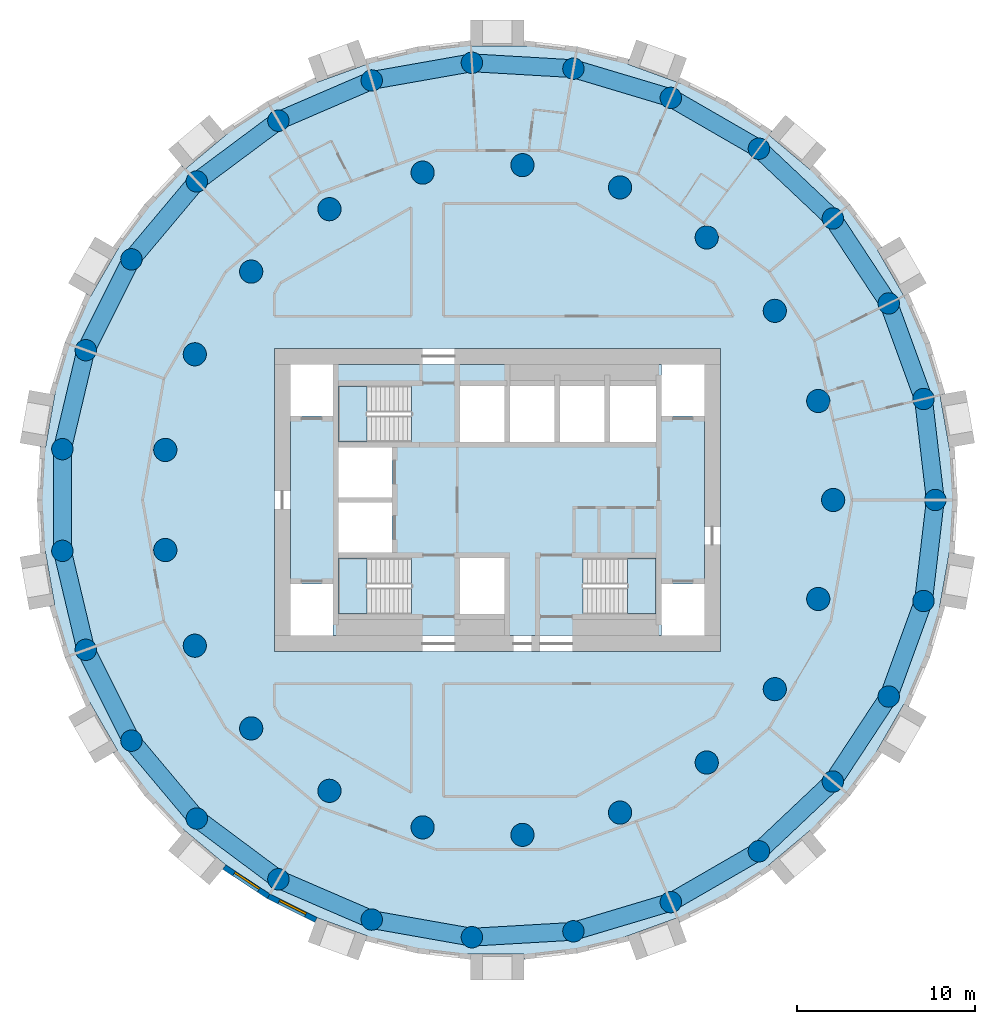
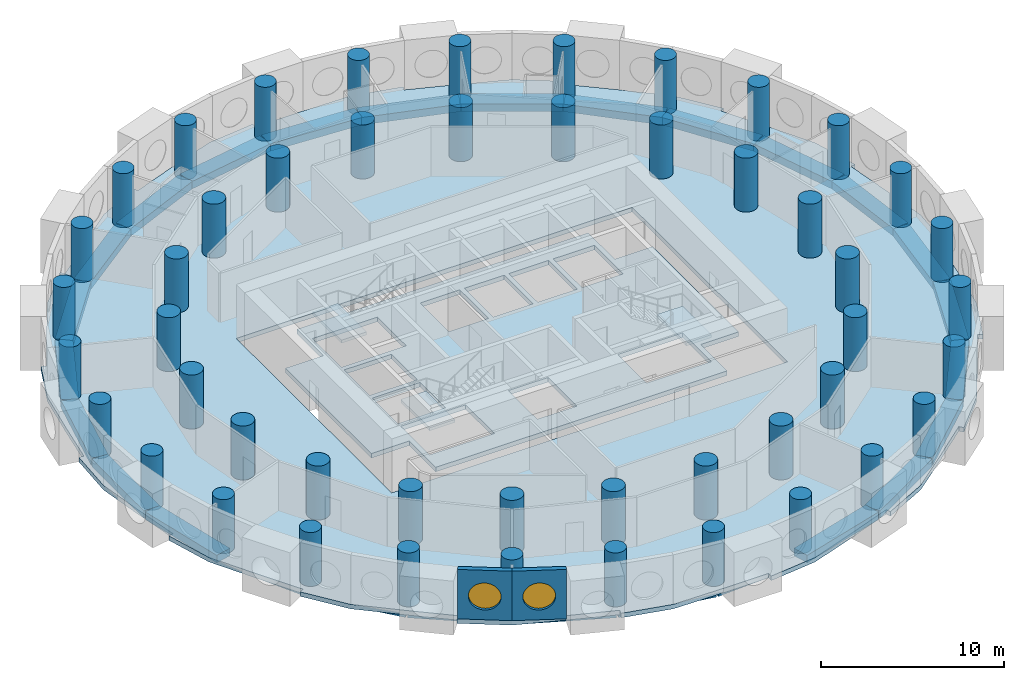
# One storey, part 1 of 9: 48 columns, 27 beams, 5 slabs, 2 walls, 2 windows, 2 openings, 3 elements without a shape of their own.
"""IFC4 building model written with IfcOpenShell, lengths in metres."""

from ifc_helpers import new_model, si_unit, direction, frame, frame_2d, origin, origin_2d, place, context, subcontext, project, spatial, polyline, rectangle, circle, outline, extrude, material, layer, layer_set, material_profile, profile_set, type_object, element, fill, aggregate, save


model = new_model("IFC4")

# Units and contexts
model_context = context("Model", 3, precision=1e-05, world=origin(), true_north=direction((0.0, 1.0)))
body_context = subcontext(model_context, "Body", "Model", "MODEL_VIEW")
ifc_project = project(units=[si_unit("LENGTHUNIT", "METRE"), si_unit("AREAUNIT", "SQUARE_METRE"), si_unit("VOLUMEUNIT", "CUBIC_METRE"), si_unit("PLANEANGLEUNIT", "RADIAN"), si_unit("MASSUNIT", "GRAM", prefix="KILO")], contexts=[model_context])

# Site, building, storey
site_placement = place(None, origin())
site = spatial("IfcSite", under=ifc_project, at=site_placement, CompositionType="ELEMENT")
building_placement = place(site_placement, origin())
building = spatial("IfcBuilding", under=site, at=building_placement, Name="Tracery Tower", CompositionType="ELEMENT")
storey_placement = place(building_placement, frame((0.0, 0.0, 169.199951171875)))
storey = spatial("IfcBuildingStorey", under=building, at=storey_placement, Name="L43", CompositionType="ELEMENT", Elevation=169.199951171875)

# Columns
ifc_material_1 = material(Name="Concrete C50/60", Category="concrete")
ifc_material_profile_1 = material_profile(ifc_material_1, circle(Radius=0.60009765625, at=origin_2d()), Name="RC D1200")
ifc_profile_set_1 = profile_set([ifc_material_profile_1], Name="Concrete C50/60")
column_type_1 = type_object("IfcColumnType", Name="Ring 1 column 1200", PredefinedType="COLUMN", material=ifc_profile_set_1)
for number, where, z_axis, x_axis, name in (
    (1, (24.547607421875, 0.0, 0.0), (0.0, 0.0, 1.0), (1.0, 0.0, 0.0), "Ring 1 column 00 at L43"),
    (2, (23.885986328125, 5.6611328125, 0.0), (0.0, 0.0, 1.0), (1.0, 0.0, 0.0), "Ring 1 column 01 at L43"),
    (3, (21.9365234375, 11.01708984375, 0.0), (0.0, 0.0, 1.0), (1.0, 0.0, 0.0), "Ring 1 column 02 at L43"),
    (4, (18.8046875, 15.779052734375, 0.0), (0.0, 0.0, 1.0), (1.0, 0.0, 0.0), "Ring 1 column 03 at L43"),
    (5, (14.658935546875, 19.690185546875, 0.0), (0.0, 0.0, 1.0), (1.0, 0.0, 0.0), "Ring 1 column 04 at L43"),
    (6, (9.722900390625, 22.5400390625, 0.0), (0.0, 0.0, 1.0), (1.0, 0.0, 0.0), "Ring 1 column 05 at L43"),
    (7, (4.2626953125, 24.1748046875, 0.0), (0.0, 0.0, 1.0), (1.0, 0.0, 0.0), "Ring 1 column 06 at L43"),
    (8, (-1.42724609375, 24.506103515625, 0.0), (0.0, 0.0, 1.0), (1.0, 0.0, 0.0), "Ring 1 column 07 at L43"),
    (9, (-7.040283203125, 23.516357421875, 0.0), (0.0, 0.0, 1.0), (1.0, 0.0, 0.0), "Ring 1 column 08 at L43"),
    (10, (-12.273681640625, 21.2587890625, 0.0), (0.0, 0.0, 1.0), (1.0, 0.0, 0.0), "Ring 1 column 09 at L43"),
    (11, (-16.845703125, 17.855224609375, 0.0), (0.0, 0.0, 1.0), (1.0, 0.0, 0.0), "Ring 1 column 10 at L43"),
    (12, (-20.50927734375, 13.4892578125, 0.0), (0.0, 0.0, 1.0), (1.0, 0.0, 0.0), "Ring 1 column 11 at L43"),
    (13, (-23.0673828125, 8.395751953125, 0.0), (0.0, 0.0, 1.0), (1.0, 0.0, 0.0), "Ring 1 column 12 at L43"),
    (14, (-24.381591796875, 2.849853515625, 0.0), (0.0, 0.0, 1.0), (1.0, 0.0, 0.0), "Ring 1 column 13 at L43"),
    (15, (-24.381591796875, -2.849853515625, 0.0), (0.0, 0.0, 1.0), (1.0, 0.0, 0.0), "Ring 1 column 14 at L43"),
    (16, (-23.0673828125, -8.395751953125, 0.0), (0.0, 0.0, 1.0), (1.0, 0.0, 0.0), "Ring 1 column 15 at L43"),
    (17, (-20.50927734375, -13.4892578125, 0.0), (0.0, 0.0, 1.0), (1.0, 0.0, 0.0), "Ring 1 column 16 at L43"),
    (18, (-16.845703125, -17.85546875, 0.0), (0.0, 0.0, 1.0), (1.0, 0.0, 0.0), "Ring 1 column 17 at L43"),
    (19, (-12.27392578125, -21.2587890625, 0.0), (0.0, 0.0, 1.0), (1.0, 0.0, 0.0), "Ring 1 column 18 at L43"),
    (20, (-7.040283203125, -23.516357421875, 0.0), (0.0, 0.0, 1.0), (1.0, 0.0, 0.0), "Ring 1 column 19 at L43"),
    (21, (-1.42724609375, -24.506103515625, 0.0), (0.0, 0.0, 1.0), (1.0, 0.0, 0.0), "Ring 1 column 20 at L43"),
    (22, (4.2626953125, -24.1748046875, 0.0), (0.0, 0.0, 1.0), (1.0, 0.0, 0.0), "Ring 1 column 21 at L43"),
    (23, (9.722900390625, -22.5400390625, 0.0), (0.0, 0.0, 1.0), (1.0, 0.0, 0.0), "Ring 1 column 22 at L43"),
    (24, (14.658935546875, -19.690185546875, 0.0), (0.0, 0.0, 1.0), (1.0, 0.0, 0.0), "Ring 1 column 23 at L43"),
    (25, (18.8046875, -15.779052734375, 0.0), (0.0, 0.0, 1.0), (1.0, 0.0, 0.0), "Ring 1 column 24 at L43"),
    (26, (21.9365234375, -11.01708984375, 0.0), (0.0, 0.0, 1.0), (1.0, 0.0, 0.0), "Ring 1 column 25 at L43"),
    (27, (23.885986328125, -5.6611328125, 0.0), (0.0, 0.0, 1.0), (1.0, 0.0, 0.0), "Ring 1 column 26 at L43"),
):
    element("IfcColumn", number, at=place(storey_placement, frame(where, z_axis=z_axis, x_axis=x_axis)), inside=storey, type_object=column_type_1, Name=name, PredefinedType="COLUMN", context=body_context, shape_type="SweptSolid", body=[
        extrude(circle(Radius=0.60009765625, at=origin_2d()), origin(), (0.0, 0.0, 1.0), 3.60009765625),
    ])
ifc_material_2 = material(Name="Concrete C50/60", Category="concrete")
ifc_material_profile_2 = material_profile(ifc_material_2, circle(Radius=0.64990234375, at=origin_2d()), Name="RC D1300")
ifc_profile_set_2 = profile_set([ifc_material_profile_2], Name="Concrete C50/60")
column_type_2 = type_object("IfcColumnType", Name="Ring 2 column 1300", PredefinedType="COLUMN", material=ifc_profile_set_2)
for number, where, z_axis, x_axis, name in (
    (28, (18.822265625, 0.0, 0.0), (0.0, 0.0, 1.0), (1.0, 0.0, 0.0), "Ring 2 column 00 at L43"),
    (29, (17.986083984375, 5.5478515625, 0.0), (0.0, 0.0, 1.0), (1.0, 0.0, 0.0), "Ring 2 column 01 at L43"),
    (30, (15.551513671875, 10.602783203125, 0.0), (0.0, 0.0, 1.0), (1.0, 0.0, 0.0), "Ring 2 column 02 at L43"),
    (31, (11.7353515625, 14.7158203125, 0.0), (0.0, 0.0, 1.0), (1.0, 0.0, 0.0), "Ring 2 column 03 at L43"),
    (32, (6.87646484375, 17.52099609375, 0.0), (0.0, 0.0, 1.0), (1.0, 0.0, 0.0), "Ring 2 column 04 at L43"),
    (33, (1.406494140625, 18.76953125, 0.0), (0.0, 0.0, 1.0), (1.0, 0.0, 0.0), "Ring 2 column 05 at L43"),
    (34, (-4.188232421875, 18.350341796875, 0.0), (0.0, 0.0, 1.0), (1.0, 0.0, 0.0), "Ring 2 column 06 at L43"),
    (35, (-9.4111328125, 16.300537109375, 0.0), (0.0, 0.0, 1.0), (1.0, 0.0, 0.0), "Ring 2 column 07 at L43"),
    (36, (-13.797607421875, 12.802490234375, 0.0), (0.0, 0.0, 1.0), (1.0, 0.0, 0.0), "Ring 2 column 08 at L43"),
    (37, (-16.958251953125, 8.16650390625, 0.0), (0.0, 0.0, 1.0), (1.0, 0.0, 0.0), "Ring 2 column 09 at L43"),
    (38, (-18.612060546875, 2.805419921875, 0.0), (0.0, 0.0, 1.0), (1.0, 0.0, 0.0), "Ring 2 column 10 at L43"),
    (39, (-18.612060546875, -2.805419921875, 0.0), (0.0, 0.0, 1.0), (1.0, 0.0, 0.0), "Ring 2 column 11 at L43"),
    (40, (-16.958251953125, -8.166748046875, 0.0), (0.0, 0.0, 1.0), (1.0, 0.0, 0.0), "Ring 2 column 12 at L43"),
    (41, (-13.797607421875, -12.80224609375, 0.0), (0.0, 0.0, 1.0), (1.0, 0.0, 0.0), "Ring 2 column 13 at L43"),
    (42, (-9.4111328125, -16.300537109375, 0.0), (0.0, 0.0, 1.0), (1.0, 0.0, 0.0), "Ring 2 column 14 at L43"),
    (43, (-4.188232421875, -18.350341796875, 0.0), (0.0, 0.0, 1.0), (1.0, 0.0, 0.0), "Ring 2 column 15 at L43"),
    (44, (1.406494140625, -18.76953125, 0.0), (0.0, 0.0, 1.0), (1.0, 0.0, 0.0), "Ring 2 column 16 at L43"),
    (45, (6.87646484375, -17.52099609375, 0.0), (0.0, 0.0, 1.0), (1.0, 0.0, 0.0), "Ring 2 column 17 at L43"),
    (46, (11.7353515625, -14.7158203125, 0.0), (0.0, 0.0, 1.0), (1.0, 0.0, 0.0), "Ring 2 column 18 at L43"),
    (47, (15.551513671875, -10.602783203125, 0.0), (0.0, 0.0, 1.0), (1.0, 0.0, 0.0), "Ring 2 column 19 at L43"),
    (48, (17.986083984375, -5.5478515625, 0.0), (0.0, 0.0, 1.0), (1.0, 0.0, 0.0), "Ring 2 column 20 at L43"),
):
    element("IfcColumn", number, at=place(storey_placement, frame(where, z_axis=z_axis, x_axis=x_axis)), inside=storey, type_object=column_type_2, Name=name, PredefinedType="COLUMN", context=body_context, shape_type="SweptSolid", body=[
        extrude(circle(Radius=0.64990234375, at=origin_2d()), origin(), (0.0, 0.0, 1.0), 3.60009765625),
    ])

# Beams
ifc_material_3 = material(Name="Concrete C50/60", Category="concrete")
ifc_material_profile_3 = material_profile(ifc_material_3, rectangle(XDim=1.0, YDim=0.5, at=origin_2d()), Name="RC 1000x500")
ifc_profile_set_3 = profile_set([ifc_material_profile_3], Name="Concrete C50/60")
beam_type = type_object("IfcBeamType", Name="Perimeter band beam 1000x500", PredefinedType="BEAM", material=ifc_profile_set_3)
for number, where, z_axis, x_axis, name in (
    (49, (24.547607421875, 0.0, -0.550048828125), (-0.116080723252, 0.993239782575, 0.0), (-0.993239782575, -0.116080723252, 0.0), "Perimeter beam 1.00 under L43"),
    (50, (23.885986328125, 5.6611328125, -0.550048828125), (-0.342028502279, 0.939689578334, 0.0), (-0.939689578334, -0.342028502279, 0.0), "Perimeter beam 1.01 under L43"),
):
    element("IfcBeam", number, at=place(storey_placement, frame(where, z_axis=z_axis, x_axis=x_axis)), inside=storey, type_object=beam_type, Name=name, PredefinedType="BEAM", context=body_context, shape_type="SweptSolid", body=[
        extrude(rectangle(XDim=1.0, YDim=0.5, at=origin_2d()), origin(), (0.0, 0.0, 1.0), 5.69970703125),
    ])
for number, where, z_axis, x_axis, name in (
    (51, (21.9365234375, 11.01708984375, -0.550048828125), (-0.549489832182, 0.835500403548, 0.0), (-0.835500403548, -0.549489832182, 0.0), "Perimeter beam 1.02 under L43"),
    (52, (18.8046875, 15.779052734375, -0.550048828125), (-0.727389618263, 0.686224703172, 0.0), (-0.686224703172, -0.727389618263, 0.0), "Perimeter beam 1.03 under L43"),
):
    element("IfcBeam", number, at=place(storey_placement, frame(where, z_axis=z_axis, x_axis=x_axis)), inside=storey, type_object=beam_type, Name=name, PredefinedType="BEAM", context=body_context, shape_type="SweptSolid", body=[
        extrude(rectangle(XDim=1.0, YDim=0.5, at=origin_2d()), origin(), (0.0, 0.0, 1.0), 5.699462890625),
    ])
for number, where, z_axis, x_axis, name in (
    (53, (14.658935546875, 19.690185546875, -0.550048828125), (-0.866022950691, 0.500004248858, 0.0), (-0.500004248858, -0.866022950691, 0.0), "Perimeter beam 1.04 under L43"),
    (54, (9.722900390625, 22.5400390625, -0.550048828125), (-0.957985292634, 0.28681732705, 0.0), (-0.28681732705, -0.957985292634, 0.0), "Perimeter beam 1.05 under L43"),
):
    element("IfcBeam", number, at=place(storey_placement, frame(where, z_axis=z_axis, x_axis=x_axis)), inside=storey, type_object=beam_type, Name=name, PredefinedType="BEAM", context=body_context, shape_type="SweptSolid", body=[
        extrude(rectangle(XDim=1.0, YDim=0.5, at=origin_2d()), origin(), (0.0, 0.0, 1.0), 5.69970703125),
    ])
beam_1_placement = place(storey_placement, frame((4.2626953125, 24.1748046875, -0.550048828125), z_axis=(-0.99830920221, 0.058126902403, 0.0), x_axis=(-0.058126902403, -0.99830920221, 0.0)))
element("IfcBeam", 55, at=beam_1_placement, inside=storey, type_object=beam_type, Name="Perimeter beam 1.06 under L43", PredefinedType="BEAM", context=body_context, shape_type="SweptSolid", body=[
    extrude(rectangle(XDim=1.0, YDim=0.5, at=origin_2d()), origin(), (0.0, 0.0, 1.0), 5.699462890625),
])
beam_2_placement = place(storey_placement, frame((-1.42724609375, 24.506103515625, -0.550048828125), z_axis=(-0.984807266719, -0.173650935552, 0.0), x_axis=(0.173650935552, -0.984807266719, 0.0)))
element("IfcBeam", 56, at=beam_2_placement, inside=storey, type_object=beam_type, Name="Perimeter beam 1.07 under L43", PredefinedType="BEAM", context=body_context, shape_type="SweptSolid", body=[
    extrude(rectangle(XDim=1.0, YDim=0.5, at=origin_2d()), origin(), (0.0, 0.0, 1.0), 5.69970703125),
])
beam_3_placement = place(storey_placement, frame((-7.040283203125, 23.516357421875, -0.550048828125), z_axis=(-0.918209685525, -0.396094652083, 0.0), x_axis=(0.396094652083, -0.918209685525, 0.0)))
element("IfcBeam", 57, at=beam_3_placement, inside=storey, type_object=beam_type, Name="Perimeter beam 1.08 under L43", PredefinedType="BEAM", context=body_context, shape_type="SweptSolid", body=[
    extrude(rectangle(XDim=1.0, YDim=0.5, at=origin_2d()), origin(), (0.0, 0.0, 1.0), 5.699462890625),
])
beam_4_placement = place(storey_placement, frame((-12.273681640625, 21.2587890625, -0.550048828125), z_axis=(-0.802138271299, -0.59713833717, 0.0), x_axis=(0.59713833717, -0.802138271299, 0.0)))
element("IfcBeam", 58, at=beam_4_placement, inside=storey, type_object=beam_type, Name="Perimeter beam 1.09 under L43", PredefinedType="BEAM", context=body_context, shape_type="SweptSolid", body=[
    extrude(rectangle(XDim=1.0, YDim=0.5, at=origin_2d()), origin(), (0.0, 0.0, 1.0), 5.69970703125),
])
beam_5_placement = place(storey_placement, frame((-16.845703125, 17.855224609375, -0.550048828125), z_axis=(-0.642797194343, -0.766036400535, 0.0), x_axis=(0.766036400535, -0.642797194343, 0.0)))
element("IfcBeam", 59, at=beam_5_placement, inside=storey, type_object=beam_type, Name="Perimeter beam 1.10 under L43", PredefinedType="BEAM", context=body_context, shape_type="SweptSolid", body=[
    extrude(rectangle(XDim=1.0, YDim=0.5, at=origin_2d()), origin(), (0.0, 0.0, 1.0), 5.699462890625),
])
beam_6_placement = place(storey_placement, frame((-20.50927734375, 13.4892578125, -0.550048828125), z_axis=(-0.448806280933, -0.893629074166, 0.0), x_axis=(0.893629074166, -0.448806280933, 0.0)))
element("IfcBeam", 60, at=beam_6_placement, inside=storey, type_object=beam_type, Name="Perimeter beam 1.11 under L43", PredefinedType="BEAM", context=body_context, shape_type="SweptSolid", body=[
    extrude(rectangle(XDim=1.0, YDim=0.5, at=origin_2d()), origin(), (0.0, 0.0, 1.0), 5.69970703125),
])
beam_7_placement = place(storey_placement, frame((-23.0673828125, 8.395751953125, -0.550048828125), z_axis=(-0.230583793756, -0.973052472407, 0.0), x_axis=(0.973052472407, -0.230583793756, 0.0)))
element("IfcBeam", 61, at=beam_7_placement, inside=storey, type_object=beam_type, Name="Perimeter beam 1.12 under L43", PredefinedType="BEAM", context=body_context, shape_type="SweptSolid", body=[
    extrude(rectangle(XDim=1.0, YDim=0.5, at=origin_2d()), origin(), (0.0, 0.0, 1.0), 5.699462890625),
])
beam_8_placement = place(storey_placement, frame((-24.381591796875, 2.849853515625, -0.550048828125), z_axis=(0.0, -1.0, 0.0), x_axis=(1.0, 0.0, 0.0)))
element("IfcBeam", 62, at=beam_8_placement, inside=storey, type_object=beam_type, Name="Perimeter beam 1.13 under L43", PredefinedType="BEAM", context=body_context, shape_type="SweptSolid", body=[
    extrude(rectangle(XDim=1.0, YDim=0.5, at=origin_2d()), origin(), (0.0, 0.0, 1.0), 5.69970703125),
])
beam_9_placement = place(storey_placement, frame((-24.381591796875, -2.849853515625, -0.550048828125), z_axis=(0.230583793756, -0.973052472407, 0.0), x_axis=(0.973052472407, 0.230583793756, 0.0)))
element("IfcBeam", 63, at=beam_9_placement, inside=storey, type_object=beam_type, Name="Perimeter beam 1.14 under L43", PredefinedType="BEAM", context=body_context, shape_type="SweptSolid", body=[
    extrude(rectangle(XDim=1.0, YDim=0.5, at=origin_2d()), origin(), (0.0, 0.0, 1.0), 5.699462890625),
])
for number, where, z_axis, x_axis, name in (
    (64, (-23.0673828125, -8.395751953125, -0.550048828125), (0.448806280933, -0.893629074166, 0.0), (0.893629074166, 0.448806280933, 0.0), "Perimeter beam 1.15 under L43"),
    (65, (-20.50927734375, -13.4892578125, -0.550048828125), (0.64277610208, -0.766054099, 0.0), (0.766054099, 0.64277610208, 0.0), "Perimeter beam 1.16 under L43"),
):
    element("IfcBeam", number, at=place(storey_placement, frame(where, z_axis=z_axis, x_axis=x_axis)), inside=storey, type_object=beam_type, Name=name, PredefinedType="BEAM", context=body_context, shape_type="SweptSolid", body=[
        extrude(rectangle(XDim=1.0, YDim=0.5, at=origin_2d()), origin(), (0.0, 0.0, 1.0), 5.69970703125),
    ])
beam_10_placement = place(storey_placement, frame((-16.845703125, -17.85546875, -0.550048828125), z_axis=(0.802143514942, -0.597131293298, 0.0), x_axis=(0.597131293298, 0.802143514942, 0.0)))
element("IfcBeam", 66, at=beam_10_placement, inside=storey, type_object=beam_type, Name="Perimeter beam 1.17 under L43", PredefinedType="BEAM", context=body_context, shape_type="SweptSolid", body=[
    extrude(rectangle(XDim=1.0, YDim=0.5, at=origin_2d()), origin(), (0.0, 0.0, 1.0), 5.699462890625),
])
for number, where, z_axis, x_axis, name in (
    (67, (-12.27392578125, -21.2587890625, -0.550048828125), (0.918216405543, -0.39607907366, 0.0), (0.39607907366, 0.918216405543, 0.0), "Perimeter beam 1.18 under L43"),
    (68, (-7.040283203125, -23.516357421875, -0.550048828125), (0.984807266719, -0.173650935552, 0.0), (0.173650935552, 0.984807266719, 0.0), "Perimeter beam 1.19 under L43"),
):
    element("IfcBeam", number, at=place(storey_placement, frame(where, z_axis=z_axis, x_axis=x_axis)), inside=storey, type_object=beam_type, Name=name, PredefinedType="BEAM", context=body_context, shape_type="SweptSolid", body=[
        extrude(rectangle(XDim=1.0, YDim=0.5, at=origin_2d()), origin(), (0.0, 0.0, 1.0), 5.69970703125),
    ])
beam_11_placement = place(storey_placement, frame((-1.42724609375, -24.506103515625, -0.550048828125), z_axis=(0.99830920221, 0.058126902403, 0.0), x_axis=(-0.058126902403, 0.99830920221, 0.0)))
element("IfcBeam", 69, at=beam_11_placement, inside=storey, type_object=beam_type, Name="Perimeter beam 1.20 under L43", PredefinedType="BEAM", context=body_context, shape_type="SweptSolid", body=[
    extrude(rectangle(XDim=1.0, YDim=0.5, at=origin_2d()), origin(), (0.0, 0.0, 1.0), 5.699462890625),
])
for number, where, z_axis, x_axis, name in (
    (70, (4.2626953125, -24.1748046875, -0.550048828125), (0.957985292634, 0.28681732705, 0.0), (-0.28681732705, 0.957985292634, 0.0), "Perimeter beam 1.21 under L43"),
    (71, (9.722900390625, -22.5400390625, -0.550048828125), (0.866022950691, 0.500004248858, 0.0), (-0.500004248858, 0.866022950691, 0.0), "Perimeter beam 1.22 under L43"),
):
    element("IfcBeam", number, at=place(storey_placement, frame(where, z_axis=z_axis, x_axis=x_axis)), inside=storey, type_object=beam_type, Name=name, PredefinedType="BEAM", context=body_context, shape_type="SweptSolid", body=[
        extrude(rectangle(XDim=1.0, YDim=0.5, at=origin_2d()), origin(), (0.0, 0.0, 1.0), 5.69970703125),
    ])
for number, where, z_axis, x_axis, name in (
    (72, (14.658935546875, -19.690185546875, -0.550048828125), (0.727389618263, 0.686224703172, 0.0), (-0.686224703172, 0.727389618263, 0.0), "Perimeter beam 1.23 under L43"),
    (73, (18.8046875, -15.779052734375, -0.550048828125), (0.549489832182, 0.835500403548, 0.0), (-0.835500403548, 0.549489832182, 0.0), "Perimeter beam 1.24 under L43"),
):
    element("IfcBeam", number, at=place(storey_placement, frame(where, z_axis=z_axis, x_axis=x_axis)), inside=storey, type_object=beam_type, Name=name, PredefinedType="BEAM", context=body_context, shape_type="SweptSolid", body=[
        extrude(rectangle(XDim=1.0, YDim=0.5, at=origin_2d()), origin(), (0.0, 0.0, 1.0), 5.699462890625),
    ])
for number, where, z_axis, x_axis, name in (
    (74, (21.9365234375, -11.01708984375, -0.550048828125), (0.342028502279, 0.939689578334, 0.0), (-0.939689578334, 0.342028502279, 0.0), "Perimeter beam 1.25 under L43"),
    (75, (23.885986328125, -5.6611328125, -0.550048828125), (0.116080723252, 0.993239782575, 0.0), (-0.993239782575, 0.116080723252, 0.0), "Perimeter beam 1.26 under L43"),
):
    element("IfcBeam", number, at=place(storey_placement, frame(where, z_axis=z_axis, x_axis=x_axis)), inside=storey, type_object=beam_type, Name=name, PredefinedType="BEAM", context=body_context, shape_type="SweptSolid", body=[
        extrude(rectangle(XDim=1.0, YDim=0.5, at=origin_2d()), origin(), (0.0, 0.0, 1.0), 5.69970703125),
    ])

# Slabs
ifc_material_4 = material(Name="Concrete C50/60", Category="concrete")
ifc_layer_1 = layer(ifc_material_4, 0.300048828125)
ifc_layer_set_1 = layer_set([ifc_layer_1], Name="Core floor slab 300 C50")
slab_type_1 = type_object("IfcSlabType", Name="Core floor slab 300 C50", PredefinedType="FLOOR", material=ifc_layer_set_1)
slab_1_placement = place(storey_placement, frame((0.0, 0.0, -0.300048828125)))
element("IfcSlab", 76, at=slab_1_placement, inside=storey, type_object=slab_type_1, Name="L43 core floor 1", PredefinedType="FLOOR", context=body_context, shape_type="SweptSolid", body=[
    extrude(outline(polyline([(-9.199951171875, 7.60009765625), (9.199951171875, 7.60009765625), (9.199951171875, 4.699951171875), (11.60009765625, 4.699951171875), (11.60009765625, -4.699951171875), (9.199951171875, -4.699951171875), (9.199951171875, -7.60009765625), (-9.199951171875, -7.60009765625), (-9.199951171875, -4.699951171875), (-11.60009765625, -4.699951171875), (-11.60009765625, 4.699951171875), (-9.199951171875, 4.699951171875), (-9.199951171875, 7.60009765625)]), holes=[polyline([(4.800537109375, -6.39990234375), (8.89990234375, -6.39990234375), (8.89990234375, -3.25), (4.800537109375, -3.25), (4.800537109375, -6.39990234375)]), polyline([(8.89990234375, 3.25), (8.89990234375, 6.39990234375), (6.300048828125, 6.39990234375), (6.300048828125, 3.25), (8.89990234375, 3.25)]), polyline([(6.0, 3.25), (6.0, 6.39990234375), (3.5, 6.39990234375), (3.5, 3.25), (6.0, 3.25)]), polyline([(3.199951171875, 3.25), (3.199951171875, 6.39990234375), (0.699951171875, 6.39990234375), (0.699951171875, 3.25), (3.199951171875, 3.25)]), polyline([(-2.10009765625, 3.25), (0.39990234375, 3.25), (0.39990234375, 6.39990234375), (-2.10009765625, 6.39990234375), (-2.10009765625, 3.25)]), polyline([(0.39990234375, -6.39990234375), (0.39990234375, -3.25), (-2.10009765625, -3.25), (-2.10009765625, -6.39990234375), (0.39990234375, -6.39990234375)]), polyline([(-4.800537109375, -3.25), (-8.89990234375, -3.25), (-8.89990234375, -6.39990234375), (-4.800537109375, -6.39990234375), (-4.800537109375, -3.25)]), polyline([(-4.800537109375, 6.39990234375), (-8.89990234375, 6.39990234375), (-8.89990234375, 3.25), (-4.800537109375, 3.25), (-4.800537109375, 6.39990234375)]), polyline([(-5.89990234375, -2.949951171875), (-5.89990234375, -0.14990234375), (-8.89990234375, -0.14990234375), (-8.89990234375, -2.949951171875), (-5.89990234375, -2.949951171875)]), polyline([(-5.89990234375, 0.14990234375), (-5.89990234375, 2.949951171875), (-8.89990234375, 2.949951171875), (-8.89990234375, 0.14990234375), (-5.89990234375, 0.14990234375)])]), origin(), (0.0, 0.0, 1.0), 0.300048828125),
])
ifc_material_5 = material(Name="Concrete C40/50", Category="concrete")
ifc_layer_2 = layer(ifc_material_5, 0.300048828125)
ifc_layer_set_2 = layer_set([ifc_layer_2], Name="Floor slab 300")
slab_type_2 = type_object("IfcSlabType", Name="Floor slab 300", PredefinedType="FLOOR", material=ifc_layer_set_2)
slab_2_placement = place(storey_placement, frame((0.0, 0.0, -0.300048828125)))
element("IfcSlab", 77, at=slab_2_placement, inside=storey, type_object=slab_type_2, Name="Floor slab L43", PredefinedType="FLOOR", context=body_context, shape_type="SweptSolid", body=[
    extrude(outline(polyline([(25.32470703125, 2.959716796875), (25.07568359375, 4.373291015625), (24.809814453125, 5.880126953125), (24.809814453125, 5.880126953125), (24.806884765625, 5.897216796875), (25.1015625, 5.94921875), (25.102294921875, 5.949462890625), (24.241943359375, 8.8232421875), (22.78515625, 11.443115234375), (21.302490234375, 14.010986328125), (21.302490234375, 14.010986328125), (21.2939453125, 14.026123046875), (21.5537109375, 14.176025390625), (21.5537109375, 14.176025390625), (19.76220703125, 16.58251953125), (17.497314453125, 18.5458984375), (16.89501953125, 19.051513671875), (15.21240234375, 20.463134765625), (15.4052734375, 20.69287109375), (12.89892578125, 22.341552734375), (10.098876953125, 23.411865234375), (7.312744140625, 24.426025390625), (7.312744140625, 24.426025390625), (7.29638671875, 24.431884765625), (7.39892578125, 24.7138671875), (4.479736328125, 25.40576171875), (1.4853515625, 25.4541015625), (-1.5, 25.4541015625), (-1.5, 25.754150390625), (-4.479736328125, 25.40576171875), (-7.312744140625, 24.426025390625), (-10.098876953125, 23.411865234375), (-10.098876953125, 23.411865234375), (-10.115234375, 23.406005859375), (-10.218017578125, 23.68798828125), (-12.898681640625, 22.341552734375), (-15.224609375, 20.453125), (-16.89501953125, 19.051513671875), (-17.497314453125, 18.5458984375), (-17.497314453125, 18.5458984375), (-17.510498046875, 18.534912109375), (-17.703369140625, 18.764404296875), (-17.70361328125, 18.7646484375), (-19.76220703125, 16.58251953125), (-21.302490234375, 14.010986328125), (-22.78515625, 11.443115234375), (-22.78515625, 11.443115234375), (-22.7939453125, 11.427978515625), (-23.0537109375, 11.577880859375), (-23.0537109375, 11.577880859375), (-24.241943359375, 8.8232421875), (-24.809814453125, 5.880126953125), (-25.07568359375, 4.373291015625), (-25.327880859375, 2.94287109375), (-25.622802734375, 2.994873046875), (-25.623291015625, 2.994873046875), (-25.797607421875, 0.0), (-25.32470703125, -2.959716796875), (-25.07568359375, -4.373291015625), (-24.809814453125, -5.880126953125), (-24.809814453125, -5.880126953125), (-24.806884765625, -5.897216796875), (-25.1015625, -5.94921875), (-25.102294921875, -5.949462890625), (-24.241943359375, -8.8232421875), (-22.78515625, -11.443115234375), (-21.302490234375, -14.010986328125), (-21.302490234375, -14.010986328125), (-21.2939453125, -14.026123046875), (-21.5537109375, -14.176025390625), (-21.5537109375, -14.176025390625), (-19.76220703125, -16.58251953125), (-17.497314453125, -18.5458984375), (-16.89501953125, -19.051513671875), (-15.21240234375, -20.463134765625), (-15.4052734375, -20.69287109375), (-12.89892578125, -22.341552734375), (-10.098876953125, -23.411865234375), (-7.312744140625, -24.426025390625), (-7.312744140625, -24.426025390625), (-7.29638671875, -24.431884765625), (-7.39892578125, -24.7138671875), (-4.479736328125, -25.40576171875), (-1.4853515625, -25.4541015625), (1.5, -25.4541015625), (1.5, -25.754150390625), (4.479736328125, -25.40576171875), (7.312744140625, -24.426025390625), (10.098876953125, -23.411865234375), (10.098876953125, -23.411865234375), (10.115234375, -23.406005859375), (10.218017578125, -23.68798828125), (12.89892578125, -22.341552734375), (15.224609375, -20.453125), (16.89501953125, -19.051513671875), (17.497314453125, -18.5458984375), (17.497314453125, -18.5458984375), (17.510498046875, -18.534912109375), (17.703369140625, -18.764404296875), (17.70361328125, -18.7646484375), (19.76220703125, -16.58251953125), (21.302490234375, -14.010986328125), (22.78515625, -11.443115234375), (22.78515625, -11.443115234375), (22.7939453125, -11.427978515625), (23.0537109375, -11.577880859375), (23.0537109375, -11.577880859375), (24.241943359375, -8.8232421875), (24.809814453125, -5.880126953125), (25.07568359375, -4.373291015625), (25.327880859375, -2.94287109375), (25.622802734375, -2.994873046875), (25.623291015625, -2.994873046875), (25.797607421875, 0.0), (25.32470703125, 2.959716796875)]), holes=[polyline([(-12.5, -8.5), (12.5, -8.5), (12.5, 8.5), (-12.5, 8.5), (-12.5, -8.5)])]), origin(), (0.0, 0.0, 1.0), 0.300048828125),
])

# Stair, slab
ifc_material_6 = material(Name="Concrete C32/40", Category="concrete")
stair_type = type_object("IfcStairType", Name="Core stair 22 risers", PredefinedType="HALF_TURN_STAIR", material=ifc_material_6)
stair_1_placement = place(storey_placement, origin())
stair_1 = element("IfcStair", 78, at=stair_1_placement, inside=storey, type_object=stair_type, Name="L43 stair ST1", PredefinedType="HALF_TURN_STAIR")
ifc_material_7 = material(Name="Concrete C32/40", Category="concrete")
ifc_layer_3 = layer(ifc_material_7, 0.199951171875)
ifc_layer_set_3 = layer_set([ifc_layer_3], Name="Stair landing slab 200")
slab_type_3 = type_object("IfcSlabType", Name="Stair landing slab 200", PredefinedType="LANDING", material=ifc_layer_set_3)
slab_3_placement = place(storey_placement, frame((0.0, 0.0, 1.60009765625)))
slab_3 = element("IfcSlab", 79, at=slab_3_placement, type_object=slab_type_3, Name="ST1 landing 1", PredefinedType="LANDING", context=body_context, shape_type="SweptSolid", body=[
    extrude(outline(polyline([(-7.29931640625, -3.25), (-8.89990234375, -3.25), (-8.89990234375, -6.39990234375), (-7.29931640625, -6.39990234375), (-7.29931640625, -3.25)])), origin(), (0.0, 0.0, 1.0), 0.199951171875),
])
aggregate(stair_1, [slab_3])

stair_2_placement = place(storey_placement, origin())
stair_2 = element("IfcStair", 80, at=stair_2_placement, inside=storey, type_object=stair_type, Name="L43 stair ST3", PredefinedType="HALF_TURN_STAIR")
slab_4_placement = place(storey_placement, frame((0.0, 0.0, 1.60009765625)))
slab_4 = element("IfcSlab", 81, at=slab_4_placement, type_object=slab_type_3, Name="ST3 landing 1", PredefinedType="LANDING", context=body_context, shape_type="SweptSolid", body=[
    extrude(outline(polyline([(-7.29931640625, 6.39990234375), (-8.89990234375, 6.39990234375), (-8.89990234375, 3.25), (-7.29931640625, 3.25), (-7.29931640625, 6.39990234375)])), origin(), (0.0, 0.0, 1.0), 0.199951171875),
])
aggregate(stair_2, [slab_4])

stair_3_placement = place(storey_placement, origin())
stair_3 = element("IfcStair", 82, at=stair_3_placement, inside=storey, type_object=stair_type, Name="L43 stair ST2", PredefinedType="HALF_TURN_STAIR")
slab_5_placement = place(storey_placement, frame((0.0, 0.0, 1.60009765625)))
slab_5 = element("IfcSlab", 83, at=slab_5_placement, type_object=slab_type_3, Name="ST2 landing 1", PredefinedType="LANDING", context=body_context, shape_type="SweptSolid", body=[
    extrude(outline(polyline([(7.29931640625, -6.39990234375), (8.89990234375, -6.39990234375), (8.89990234375, -3.25), (7.29931640625, -3.25), (7.29931640625, -6.39990234375)])), origin(), (0.0, 0.0, 1.0), 0.199951171875),
])
aggregate(stair_3, [slab_5])

# Wall, opening, window
ifc_material_8 = material(Name="Precast concrete C50/60", Category="concrete")
ifc_layer_4 = layer(ifc_material_8, 0.300048828125)
ifc_layer_set_4 = layer_set([ifc_layer_4], Name="Facade panel 3000 x 3300")
wall_type = type_object("IfcWallType", Name="Facade panel 3000 x 3300", PredefinedType="SOLIDWALL", material=ifc_layer_set_4)
wall_1_placement = place(storey_placement, frame((-15.3076171875, -20.57763671875, 0.0), z_axis=(0.0, 0.0, 1.0), x_axis=(0.835470659512, -0.549535055382, 0.0)))
wall_1 = element("IfcWall", 84, at=wall_1_placement, inside=storey, type_object=wall_type, Name="Facade panel 36 at L43", PredefinedType="SOLIDWALL", context=body_context, shape_type="SweptSolid", body=[
    extrude(rectangle(XDim=2.97314453125, YDim=0.300048828125, at=frame_2d((1.486572265625, 0.0))), origin(), (0.0, 0.0, 1.0), 3.300048828125),
])
opening_1_placement = place(wall_1_placement, frame((1.486328125, 0.0, 1.5498046875)))
opening_1 = element("IfcOpeningElement", 85, at=opening_1_placement, cuts=wall_1, Name="Opening WN1", PredefinedType="OPENING", context=body_context, shape_type="SweptSolid", body=[
    extrude(circle(Radius=0.9000244140625, at=origin_2d()), frame((0.0, 0.159912109375, 0.0), z_axis=(0.0, -1.0, 0.0), x_axis=(1.0, 0.0, 0.0)), (0.0, 0.0, 1.0), 0.320068359375),
])
ifc_material_9 = material(Name="Aluminium frame with tinted double glazing", Category="aluminium")
window_type = type_object("IfcWindowType", Name="Round window 1800", PartitioningType="SINGLE_PANEL", PredefinedType="WINDOW", material=ifc_material_9)
window_1_placement = place(opening_1_placement, origin())
window_1 = element("IfcWindow", 86, at=window_1_placement, inside=storey, type_object=window_type, Name="Round window 36 at L43", OverallHeight=1.800048828125, OverallWidth=1.800048828125, PartitioningType="SINGLE_PANEL", PredefinedType="WINDOW", context=body_context, shape_type="SweptSolid", body=[
    extrude(circle(Radius=0.9000244140625, at=origin_2d()), frame((0.0, 0.1201171875, 0.0), z_axis=(0.0, -1.0, 0.0), x_axis=(1.0, 0.0, 0.0)), (0.0, 0.0, 1.0), 0.10009765625),
])
fill(opening_1, window_1)

wall_2_placement = place(storey_placement, frame((-12.82373046875, -22.21142578125, 0.0), z_axis=(0.0, 0.0, 1.0), x_axis=(0.893637442555, -0.448789618045, 0.0)))
wall_2 = element("IfcWall", 87, at=wall_2_placement, inside=storey, type_object=wall_type, Name="Facade panel 37 at L43", PredefinedType="SOLIDWALL", context=body_context, shape_type="SweptSolid", body=[
    extrude(rectangle(XDim=2.972900390625, YDim=0.300048828125, at=frame_2d((1.486328125, 0.0))), origin(), (0.0, 0.0, 1.0), 3.300048828125),
])
opening_2_placement = place(wall_2_placement, frame((1.486328125, 0.0, 1.5498046875)))
opening_2 = element("IfcOpeningElement", 88, at=opening_2_placement, cuts=wall_2, Name="Opening WN1", PredefinedType="OPENING", context=body_context, shape_type="SweptSolid", body=[
    extrude(circle(Radius=0.9000244140625, at=origin_2d()), frame((0.0, 0.159912109375, 0.0), z_axis=(0.0, -1.0, 0.0), x_axis=(1.0, 0.0, 0.0)), (0.0, 0.0, 1.0), 0.320068359375),
])
window_2_placement = place(opening_2_placement, origin())
window_2 = element("IfcWindow", 89, at=window_2_placement, inside=storey, type_object=window_type, Name="Round window 37 at L43", OverallHeight=1.800048828125, OverallWidth=1.800048828125, PartitioningType="SINGLE_PANEL", PredefinedType="WINDOW", context=body_context, shape_type="SweptSolid", body=[
    extrude(circle(Radius=0.9000244140625, at=origin_2d()), frame((0.0, 0.1201171875, 0.0), z_axis=(0.0, -1.0, 0.0), x_axis=(1.0, 0.0, 0.0)), (0.0, 0.0, 1.0), 0.10009765625),
])
fill(opening_2, window_2)

save(model, "model.ifc")
